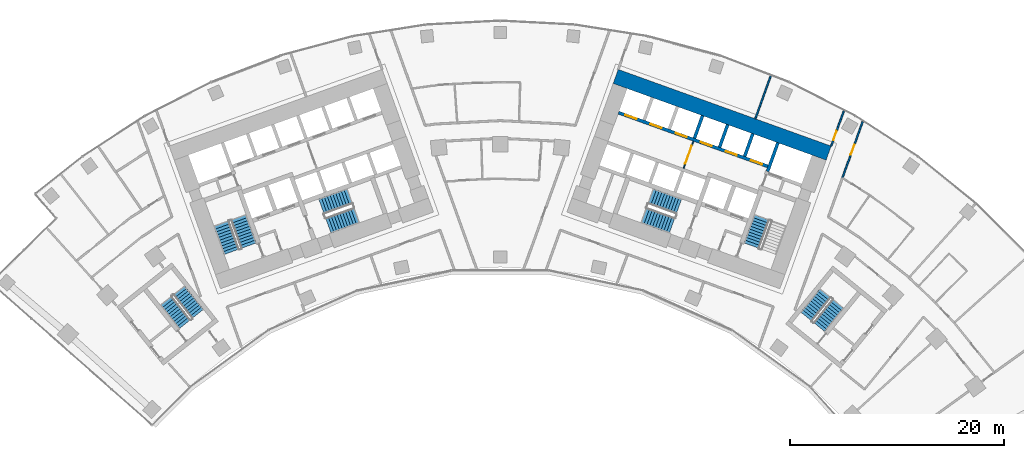
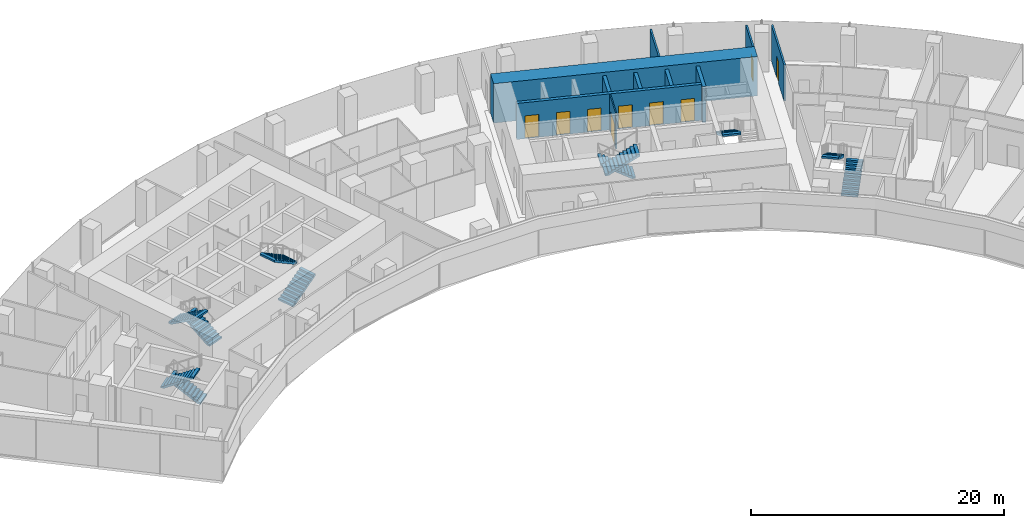
# One storey, part 18 of 21: 11 stair flights, 10 walls, 9 doors, 9 openings, 6 elements without a shape of their own.
"""IFC4 building model written with IfcOpenShell, lengths in metres."""

import ifcopenshell
import ifcopenshell.guid

model = None  # the IFC model being written
_history = None  # IfcOwnerHistory: only IFC2X3 demands one
_inside = {}  # id of a spatial element -> (the spatial element, [elements in it])
_under = {}  # id of a project, library or spatial element -> (it, [spatial elements below it])
_declared = {}  # id of a project -> (the project, [libraries it declares])
_typed = {}  # id of a type object -> (the type object, [elements of that type])
_made_of = {}  # id of a material, layer set ... -> (it, [elements and type objects made of it])


def new_model(schema):
    """Start an empty IFC model of exactly this schema.

    Asked for "IFC4X3", IfcOpenShell would pick the latest addendum, in which some entities
    have other attributes; the version numbers below select the first issue.
    IFC2X3 requires an IfcOwnerHistory on every rooted entity: one is made here for all.
    """
    global model, _history
    if schema == "IFC4X3":
        model = ifcopenshell.file(schema_version=(4, 3, 0, 0))
    else:
        model = ifcopenshell.file(schema=schema)
    _inside.clear()
    _under.clear()
    _declared.clear()
    _typed.clear()
    _made_of.clear()
    _history = None
    if model.schema == "IFC2X3":
        org = make("IfcOrganization", Name="unknown")
        user = make(
            "IfcPersonAndOrganization",
            ThePerson=make("IfcPerson", FamilyName="unknown"),
            TheOrganization=org,
        )
        app = make(
            "IfcApplication",
            ApplicationDeveloper=org,
            Version="unknown",
            ApplicationFullName="unknown",
            ApplicationIdentifier="unknown",
        )
        _history = make(
            "IfcOwnerHistory",
            OwningUser=user,
            OwningApplication=app,
            ChangeAction="ADDED",
            CreationDate=0,
        )
    return model


def make(cls, **values):
    """One entity of the class cls with the attributes given. An attribute that is None is left unset."""
    return model.create_entity(
        cls, **{name: value for name, value in values.items() if value is not None}
    )


def rooted(cls, **values):
    """An entity with a GlobalId (a new one), such as an element, a storey or a relation."""
    return make(cls, GlobalId=ifcopenshell.guid.new(), OwnerHistory=_history, **values)


def si_unit(unit_type, name, prefix=None):
    """IfcSIUnit, for example si_unit("LENGTHUNIT", "METRE", prefix="MILLI")."""
    return make("IfcSIUnit", UnitType=unit_type, Prefix=prefix, Name=name)


def assignment(units):
    """IfcUnitAssignment: the units of a project."""
    return None if units is None else make("IfcUnitAssignment", Units=units)


def point(xyz):
    """IfcCartesianPoint."""
    return None if xyz is None else make("IfcCartesianPoint", Coordinates=xyz)


def direction(xyz):
    """IfcDirection."""
    return None if xyz is None else make("IfcDirection", DirectionRatios=xyz)


def frame(location, z_axis=None, x_axis=None):
    """IfcAxis2Placement3D, a coordinate frame: its origin and axes. An axis left out is left unset."""
    return make(
        "IfcAxis2Placement3D",
        Location=point(location),
        Axis=direction(z_axis),
        RefDirection=direction(x_axis),
    )


def frame_2d(location, x_axis=None):
    """IfcAxis2Placement2D, a coordinate frame in the plane: its origin and x axis."""
    return make(
        "IfcAxis2Placement2D", Location=point(location), RefDirection=direction(x_axis)
    )


def origin():
    """The frame at (0, 0, 0) with its axes left unset."""
    return frame((0.0, 0.0, 0.0))


def place(relative_to, where):
    """IfcLocalPlacement: puts the frame where relative to a parent placement (None: the world)."""
    return make(
        "IfcLocalPlacement", PlacementRelTo=relative_to, RelativePlacement=where
    )


def context(
    kind, dimensions, precision=None, world=None, true_north=None, identifier=None
):
    """IfcGeometricRepresentationContext, for example the 3D "Model" context."""
    return make(
        "IfcGeometricRepresentationContext",
        ContextIdentifier=identifier,
        ContextType=kind,
        CoordinateSpaceDimension=dimensions,
        Precision=precision,
        WorldCoordinateSystem=world,
        TrueNorth=true_north,
    )


def subcontext(parent, identifier, kind, view, scale=None):
    """IfcGeometricRepresentationSubContext, for example "Body" below "Model"."""
    return make(
        "IfcGeometricRepresentationSubContext",
        ContextIdentifier=identifier,
        ContextType=kind,
        ParentContext=parent,
        TargetScale=scale,
        TargetView=view,
    )


def project(units=None, contexts=None):
    """IfcProject with its units and contexts."""
    return rooted(
        "IfcProject",
        Name="project",
        RepresentationContexts=contexts,
        UnitsInContext=assignment(units),
    )


def spatial(cls, under=None, at=None, **own):
    """A site, building, storey or space (cls), placed at a placement, below another one or the project."""
    s = rooted(cls, ObjectPlacement=at, **own)
    if under is not None:
        _under.setdefault(under.id(), (under, []))[1].append(s)
    return s


def polyline(points):
    """IfcPolyline through the points."""
    return make("IfcPolyline", Points=[point(p) for p in points])


def profile(cls, at=None, kind="AREA", **sizes):
    """A parametric profile (cls). Its sizes go by their IFC names, for example OverallWidth=200.0."""
    return make(cls, ProfileType=kind, Position=at, **sizes)


def rectangle(**sizes):
    """IfcRectangleProfileDef."""
    return profile("IfcRectangleProfileDef", **sizes)


def outline(outer, holes=None, kind="AREA"):
    """IfcArbitraryClosedProfileDef: a profile drawn as a closed curve; with holes, ...WithVoids."""
    if holes is None:
        return make("IfcArbitraryClosedProfileDef", ProfileType=kind, OuterCurve=outer)
    return make(
        "IfcArbitraryProfileDefWithVoids",
        ProfileType=kind,
        OuterCurve=outer,
        InnerCurves=holes,
    )


def extrude(swept, where, along, depth):
    """IfcExtrudedAreaSolid: the profile swept, set in the frame where, extruded along a direction by depth."""
    return make(
        "IfcExtrudedAreaSolid",
        SweptArea=swept,
        Position=where,
        ExtrudedDirection=direction(along),
        Depth=depth,
    )


def shape(context_of_items, identifier, shape_type, items):
    """IfcShapeRepresentation: the items that make up one representation, for example the "Body"."""
    return make(
        "IfcShapeRepresentation",
        ContextOfItems=context_of_items,
        RepresentationIdentifier=identifier,
        RepresentationType=shape_type,
        Items=items,
    )


def material(Name=None, Category=None):
    """IfcMaterial."""
    return make("IfcMaterial", Name=Name, Category=Category)


def layer(
    of_material, thickness, ventilated=None, Name=None, Category=None, Priority=None
):
    """IfcMaterialLayer: one layer of a wall or slab, of a material (None: an air gap)."""
    return make(
        "IfcMaterialLayer",
        Material=of_material,
        LayerThickness=thickness,
        IsVentilated=ventilated,
        Name=Name,
        Category=Category,
        Priority=Priority,
    )


def layer_set(layers, Name=None):
    """IfcMaterialLayerSet."""
    return make("IfcMaterialLayerSet", MaterialLayers=layers, LayerSetName=Name)


def made_of(thing, what):
    """Note that an element or type object is made of a material, layer set ...; save() writes the relation."""
    if what is not None:
        _made_of.setdefault(what.id(), (what, []))[1].append(thing)
    return thing


def type_object(cls, material=None, **own):
    """A type object (cls), such as IfcWallType, which elements share."""
    return made_of(rooted(cls, **own), material)


def element(
    cls,
    number,
    at=None,
    inside=None,
    cuts=None,
    type_object=None,
    material=None,
    context=None,
    identifier="Body",
    shape_type=None,
    held_by="IfcProductDefinitionShape",
    body=None,
    shapes=None,
    **own,
):
    """One element of the class cls, such as IfcWall. Its Tag is "e" and its number.

    at: its placement. inside: the storey or other place that contains it. cuts: it is an
    opening in that element (IfcRelVoidsElement). A single representation is given by context,
    identifier, shape_type and body (its items); several are given by shapes. held_by: the class
    of the entity that holds the representations. save() writes the other relations.
    """
    e = rooted(cls, Tag="e%d" % number, ObjectPlacement=at, **own)
    if body is not None:
        shapes = [shape(context, identifier, shape_type, body)]
    if shapes is not None:
        e.Representation = make(held_by, Representations=shapes)
    if inside is not None:
        _inside.setdefault(inside.id(), (inside, []))[1].append(e)
    if cuts is not None:
        rooted(
            "IfcRelVoidsElement", RelatingBuildingElement=cuts, RelatedOpeningElement=e
        )
    if type_object is not None:
        _typed.setdefault(type_object.id(), (type_object, []))[1].append(e)
    return made_of(e, material)


def fill(opening, filler):
    """IfcRelFillsElement: the door or window that sits in an opening."""
    return rooted(
        "IfcRelFillsElement",
        RelatingOpeningElement=opening,
        RelatedBuildingElement=filler,
    )


def aggregate(whole, parts):
    """IfcRelAggregates: a whole, such as a stair, and the parts it consists of."""
    return rooted("IfcRelAggregates", RelatingObject=whole, RelatedObjects=parts)


def save(model, path):
    """Write the relations noted so far, then the file.

    IfcRelAggregates (storeys below a building ...), IfcRelContainedInSpatialStructure (elements
    in a storey), IfcRelDefinesByType, IfcRelAssociatesMaterial and IfcRelDeclares: one each for
    every whole, place, type object, material and project.
    """
    for whole, parts in _under.values():
        aggregate(whole, parts)
    for where, things in _inside.values():
        rooted(
            "IfcRelContainedInSpatialStructure",
            RelatedElements=things,
            RelatingStructure=where,
        )
    for kind, things in _typed.values():
        rooted("IfcRelDefinesByType", RelatedObjects=things, RelatingType=kind)
    for what, things in _made_of.values():
        rooted("IfcRelAssociatesMaterial", RelatedObjects=things, RelatingMaterial=what)
    for by, libraries in _declared.values():
        rooted("IfcRelDeclares", RelatingContext=by, RelatedDefinitions=libraries)
    model.write(path)


model = new_model("IFC4")

# Units and contexts
model_context = context("Model", 3, precision=1e-05, world=origin(), true_north=direction((0.0, 1.0)))
body_context = subcontext(model_context, "Body", "Model", "MODEL_VIEW")
ifc_project = project(units=[si_unit("LENGTHUNIT", "METRE"), si_unit("AREAUNIT", "SQUARE_METRE"), si_unit("VOLUMEUNIT", "CUBIC_METRE"), si_unit("PLANEANGLEUNIT", "RADIAN"), si_unit("MASSUNIT", "GRAM", prefix="KILO")], contexts=[model_context])

# Site, building, storey
site_placement = place(None, origin())
site = spatial("IfcSite", under=ifc_project, at=site_placement, CompositionType="ELEMENT")
building_placement = place(site_placement, origin())
building = spatial("IfcBuilding", under=site, at=building_placement, Name="Stone Belt Terrace Tower", CompositionType="ELEMENT")
storey_placement = place(building_placement, frame((0.0, 0.0, 117.39990234375)))
storey = spatial("IfcBuildingStorey", under=building, at=storey_placement, Name="L28", CompositionType="ELEMENT", Elevation=117.39990234375)

# Wall, opening, door
ifc_material_1 = material(Name="Plasterboard partition")
ifc_layer_1 = layer(ifc_material_1, 0.10009765625)
ifc_layer_set_1 = layer_set([ifc_layer_1], Name="Core partition 100")
wall_type_1 = type_object("IfcWallType", Name="Core partition 100", PredefinedType="PARTITIONING", material=ifc_layer_set_1)
wall_1_placement = place(storey_placement, frame((17.17724609375, 52.749755859375, 0.0), z_axis=(0.0, 0.0, 1.0), x_axis=(0.338546555931, 0.940949642365, 0.0)))
wall_1 = element("IfcWall", 1, at=wall_1_placement, inside=storey, type_object=wall_type_1, Name="Core B wall", PredefinedType="PARTITIONING", context=body_context, shape_type="SweptSolid", body=[
    extrude(rectangle(XDim=2.699951171875, YDim=0.10009765625, at=frame_2d((1.35009765625, 0.0))), origin(), (0.0, 0.0, 1.0), 3.47998046875),
])
opening_1_placement = place(wall_1_placement, frame((0.449951171875, 0.0, 0.0)))
opening_1 = element("IfcOpeningElement", 2, at=opening_1_placement, cuts=wall_1, Name="Opening L28-C14", PredefinedType="OPENING", context=body_context, shape_type="SweptSolid", body=[
    extrude(rectangle(XDim=1.800048828125, YDim=2.10009765625, at=frame_2d((0.89990234375, 1.050048828125))), frame((0.0, 0.06005859375, 0.0), z_axis=(0.0, -1.0, 0.0), x_axis=(1.0, 0.0, 0.0)), (0.0, 0.0, 1.0), 0.1201171875),
])
ifc_material_2 = material(Name="Glazed aluminium door leaf", Category="aluminium")
door_type_1 = type_object("IfcDoorType", Name="Lift lobby entrance door 1800", OperationType="DOUBLE_DOOR_SINGLE_SWING", PredefinedType="DOOR", material=ifc_material_2)
door_1_placement = place(opening_1_placement, origin())
door_1 = element("IfcDoor", 3, at=door_1_placement, inside=storey, type_object=door_type_1, Name="Lift lobby double door core B", OperationType="DOUBLE_DOOR_SINGLE_SWING", OverallHeight=2.10009765625, OverallWidth=1.800048828125, PredefinedType="DOOR", context=body_context, shape_type="SweptSolid", body=[
    extrude(rectangle(XDim=1.800048828125, YDim=2.10009765625, at=frame_2d((0.89990234375, 1.050048828125))), frame((0.0, 0.02490234375, 0.0), z_axis=(0.0, -1.0, 0.0), x_axis=(1.0, 0.0, 0.0)), (0.0, 0.0, 1.0), 0.050048828125),
])
fill(opening_1, door_1)

# Walls
ifc_material_3 = material(Name="Concrete B80", Category="concrete")
ifc_layer_2 = layer(ifc_material_3, 1.39990234375)
ifc_layer_set_2 = layer_set([ifc_layer_2], Name="Core wall 1400 B80")
wall_type_2 = type_object("IfcWallType", Name="Core wall 1400 B80", PredefinedType="SHEAR", material=ifc_layer_set_2)
wall_2_placement = place(storey_placement, frame((10.81787109375, 61.362060546875, 0.0), z_axis=(0.0, 0.0, 1.0), x_axis=(0.940919704758, -0.338629752382, 0.0)))
element("IfcWall", 4, at=wall_2_placement, inside=storey, type_object=wall_type_2, Name="Core B wall convex L28", PredefinedType="SHEAR", context=body_context, shape_type="SweptSolid", body=[
    extrude(rectangle(XDim=21.199951171875, YDim=1.39990234375, at=frame_2d((10.60009765625, 0.0))), origin(), (0.0, 0.0, 1.0), 3.800048828125),
])
ifc_layer_3 = layer(ifc_material_3, 0.300048828125)
ifc_layer_set_3 = layer_set([ifc_layer_3], Name="Lift shaft wall 300")
wall_type_3 = type_object("IfcWallType", Name="Lift shaft wall 300", PredefinedType="SHEAR", material=ifc_layer_set_3)
wall_3_placement = place(storey_placement, frame((25.046875, 52.46826171875, 0.0), z_axis=(0.0, 0.0, 1.0), x_axis=(0.338549588058, 0.940948551423, 0.0)))
element("IfcWall", 5, at=wall_3_placement, inside=storey, type_object=wall_type_3, Name="Core B wall", PredefinedType="SHEAR", context=body_context, shape_type="SweptSolid", body=[
    extrude(rectangle(XDim=2.849853515625, YDim=0.300048828125, at=frame_2d((1.4248046875, 0.0))), origin(), (0.0, 0.0, 1.0), 3.47998046875),
])

# Wall, openings, doors
wall_4_placement = place(storey_placement, frame((25.05810546875, 52.9423828125, 0.0), z_axis=(0.0, 0.0, 1.0), x_axis=(-0.940918215764, 0.338633889685, 0.0)))
wall_4 = element("IfcWall", 6, at=wall_4_placement, inside=storey, type_object=wall_type_3, Name="Core B wall", PredefinedType="SHEAR", context=body_context, shape_type="SweptSolid", body=[
    extrude(rectangle(XDim=14.850341796875, YDim=0.300048828125, at=frame_2d((7.42529296875, 0.0))), origin(), (0.0, 0.0, 1.0), 3.47998046875),
])
opening_2_placement = place(wall_4_placement, frame((0.570068359375, 0.0, 0.0)))
opening_2 = element("IfcOpeningElement", 7, at=opening_2_placement, cuts=wall_4, Name="Opening L28-LD10", PredefinedType="OPENING", context=body_context, shape_type="SweptSolid", body=[
    extrude(rectangle(XDim=1.10009765625, YDim=2.199951171875, at=frame_2d((0.550048828125, 1.10009765625))), frame((0.0, 0.159912109375, 0.0), z_axis=(0.0, -1.0, 0.0), x_axis=(1.0, 0.0, 0.0)), (0.0, 0.0, 1.0), 0.320068359375),
])
opening_3_placement = place(wall_4_placement, frame((3.070068359375, 0.0, 0.0)))
opening_3 = element("IfcOpeningElement", 8, at=opening_3_placement, cuts=wall_4, Name="Opening L28-LD11", PredefinedType="OPENING", context=body_context, shape_type="SweptSolid", body=[
    extrude(rectangle(XDim=1.10009765625, YDim=2.199951171875, at=frame_2d((0.550048828125, 1.10009765625))), frame((0.0, 0.159912109375, 0.0), z_axis=(0.0, -1.0, 0.0), x_axis=(1.0, 0.0, 0.0)), (0.0, 0.0, 1.0), 0.320068359375),
])
opening_4_placement = place(wall_4_placement, frame((5.570068359375, 0.0, 0.0)))
opening_4 = element("IfcOpeningElement", 9, at=opening_4_placement, cuts=wall_4, Name="Opening L28-LD12", PredefinedType="OPENING", context=body_context, shape_type="SweptSolid", body=[
    extrude(rectangle(XDim=1.10009765625, YDim=2.199951171875, at=frame_2d((0.550048828125, 1.10009765625))), frame((0.0, 0.159912109375, 0.0), z_axis=(0.0, -1.0, 0.0), x_axis=(1.0, 0.0, 0.0)), (0.0, 0.0, 1.0), 0.320068359375),
])
opening_5_placement = place(wall_4_placement, frame((8.070068359375, 0.0, 0.0)))
opening_5 = element("IfcOpeningElement", 10, at=opening_5_placement, cuts=wall_4, Name="Opening L28-LD13", PredefinedType="OPENING", context=body_context, shape_type="SweptSolid", body=[
    extrude(rectangle(XDim=1.10009765625, YDim=2.199951171875, at=frame_2d((0.550048828125, 1.10009765625))), frame((0.0, 0.159912109375, 0.0), z_axis=(0.0, -1.0, 0.0), x_axis=(1.0, 0.0, 0.0)), (0.0, 0.0, 1.0), 0.320068359375),
])
opening_6_placement = place(wall_4_placement, frame((10.570068359375, 0.0, 0.0)))
opening_6 = element("IfcOpeningElement", 11, at=opening_6_placement, cuts=wall_4, Name="Opening L28-LD14", PredefinedType="OPENING", context=body_context, shape_type="SweptSolid", body=[
    extrude(rectangle(XDim=1.10009765625, YDim=2.199951171875, at=frame_2d((0.550048828125, 1.10009765625))), frame((0.0, 0.159912109375, 0.0), z_axis=(0.0, -1.0, 0.0), x_axis=(1.0, 0.0, 0.0)), (0.0, 0.0, 1.0), 0.320068359375),
])
opening_7_placement = place(wall_4_placement, frame((13.070068359375, 0.0, 0.0)))
opening_7 = element("IfcOpeningElement", 12, at=opening_7_placement, cuts=wall_4, Name="Opening L28-LD15", PredefinedType="OPENING", context=body_context, shape_type="SweptSolid", body=[
    extrude(rectangle(XDim=1.10009765625, YDim=2.199951171875, at=frame_2d((0.550048828125, 1.10009765625))), frame((0.0, 0.159912109375, 0.0), z_axis=(0.0, -1.0, 0.0), x_axis=(1.0, 0.0, 0.0)), (0.0, 0.0, 1.0), 0.320068359375),
])
ifc_material_4 = material(Name="Stainless steel door leaf", Category="steel")
door_type_2 = type_object("IfcDoorType", Name="Landing door 1100", OperationType="SLIDING_TO_LEFT", PredefinedType="DOOR", material=ifc_material_4)
door_2_placement = place(opening_2_placement, origin())
door_2 = element("IfcDoor", 13, at=door_2_placement, inside=storey, type_object=door_type_2, Name="Landing door LR1 core B", OperationType="SLIDING_TO_LEFT", OverallHeight=2.199951171875, OverallWidth=1.10009765625, PredefinedType="DOOR", context=body_context, shape_type="SweptSolid", body=[
    extrude(rectangle(XDim=1.10009765625, YDim=2.199951171875, at=frame_2d((0.550048828125, 1.10009765625))), frame((0.0, 0.02490234375, 0.0), z_axis=(0.0, -1.0, 0.0), x_axis=(1.0, 0.0, 0.0)), (0.0, 0.0, 1.0), 0.050048828125),
])
fill(opening_2, door_2)
door_3_placement = place(opening_3_placement, origin())
door_3 = element("IfcDoor", 14, at=door_3_placement, inside=storey, type_object=door_type_2, Name="Landing door LR2 core B", OperationType="SLIDING_TO_LEFT", OverallHeight=2.199951171875, OverallWidth=1.10009765625, PredefinedType="DOOR", context=body_context, shape_type="SweptSolid", body=[
    extrude(rectangle(XDim=1.10009765625, YDim=2.199951171875, at=frame_2d((0.550048828125, 1.10009765625))), frame((0.0, 0.02490234375, 0.0), z_axis=(0.0, -1.0, 0.0), x_axis=(1.0, 0.0, 0.0)), (0.0, 0.0, 1.0), 0.050048828125),
])
fill(opening_3, door_3)
door_4_placement = place(opening_4_placement, origin())
door_4 = element("IfcDoor", 15, at=door_4_placement, inside=storey, type_object=door_type_2, Name="Landing door LR3 core B", OperationType="SLIDING_TO_LEFT", OverallHeight=2.199951171875, OverallWidth=1.10009765625, PredefinedType="DOOR", context=body_context, shape_type="SweptSolid", body=[
    extrude(rectangle(XDim=1.10009765625, YDim=2.199951171875, at=frame_2d((0.550048828125, 1.10009765625))), frame((0.0, 0.02490234375, 0.0), z_axis=(0.0, -1.0, 0.0), x_axis=(1.0, 0.0, 0.0)), (0.0, 0.0, 1.0), 0.050048828125),
])
fill(opening_4, door_4)
door_5_placement = place(opening_5_placement, origin())
door_5 = element("IfcDoor", 16, at=door_5_placement, inside=storey, type_object=door_type_2, Name="Landing door LR4 core B", OperationType="SLIDING_TO_LEFT", OverallHeight=2.199951171875, OverallWidth=1.10009765625, PredefinedType="DOOR", context=body_context, shape_type="SweptSolid", body=[
    extrude(rectangle(XDim=1.10009765625, YDim=2.199951171875, at=frame_2d((0.550048828125, 1.10009765625))), frame((0.0, 0.02490234375, 0.0), z_axis=(0.0, -1.0, 0.0), x_axis=(1.0, 0.0, 0.0)), (0.0, 0.0, 1.0), 0.050048828125),
])
fill(opening_5, door_5)
door_6_placement = place(opening_6_placement, origin())
door_6 = element("IfcDoor", 17, at=door_6_placement, inside=storey, type_object=door_type_2, Name="Landing door LR5 core B", OperationType="SLIDING_TO_LEFT", OverallHeight=2.199951171875, OverallWidth=1.10009765625, PredefinedType="DOOR", context=body_context, shape_type="SweptSolid", body=[
    extrude(rectangle(XDim=1.10009765625, YDim=2.199951171875, at=frame_2d((0.550048828125, 1.10009765625))), frame((0.0, 0.02490234375, 0.0), z_axis=(0.0, -1.0, 0.0), x_axis=(1.0, 0.0, 0.0)), (0.0, 0.0, 1.0), 0.050048828125),
])
fill(opening_6, door_6)
door_7_placement = place(opening_7_placement, origin())
door_7 = element("IfcDoor", 18, at=door_7_placement, inside=storey, type_object=door_type_2, Name="Landing door LR6 core B", OperationType="SLIDING_TO_LEFT", OverallHeight=2.199951171875, OverallWidth=1.10009765625, PredefinedType="DOOR", context=body_context, shape_type="SweptSolid", body=[
    extrude(rectangle(XDim=1.10009765625, YDim=2.199951171875, at=frame_2d((0.550048828125, 1.10009765625))), frame((0.0, 0.02490234375, 0.0), z_axis=(0.0, -1.0, 0.0), x_axis=(1.0, 0.0, 0.0)), (0.0, 0.0, 1.0), 0.050048828125),
])
fill(opening_7, door_7)

# Walls
wall_5_placement = place(storey_placement, frame((22.897705078125, 53.87939453125, 0.0), z_axis=(0.0, 0.0, 1.0), x_axis=(0.338535034312, 0.940953787677, 0.0)))
element("IfcWall", 19, at=wall_5_placement, inside=storey, type_object=wall_type_3, Name="Core B wall", PredefinedType="SHEAR", context=body_context, shape_type="SweptSolid", body=[
    extrude(rectangle(XDim=2.25, YDim=0.300048828125, at=frame_2d((1.125, 0.0))), origin(), (0.0, 0.0, 1.0), 3.47998046875),
])
wall_6_placement = place(storey_placement, frame((20.54541015625, 54.72607421875, 0.0), z_axis=(0.0, 0.0, 1.0), x_axis=(0.338569601369, 0.940941350472, 0.0)))
element("IfcWall", 20, at=wall_6_placement, inside=storey, type_object=wall_type_3, Name="Core B wall", PredefinedType="SHEAR", context=body_context, shape_type="SweptSolid", body=[
    extrude(rectangle(XDim=2.249755859375, YDim=0.300048828125, at=frame_2d((1.125, 0.0))), origin(), (0.0, 0.0, 1.0), 3.47998046875),
])
wall_7_placement = place(storey_placement, frame((18.193115234375, 55.572509765625, 0.0), z_axis=(0.0, 0.0, 1.0), x_axis=(0.338535034312, 0.940953787677, 0.0)))
element("IfcWall", 21, at=wall_7_placement, inside=storey, type_object=wall_type_3, Name="Core B wall", PredefinedType="SHEAR", context=body_context, shape_type="SweptSolid", body=[
    extrude(rectangle(XDim=2.25, YDim=0.300048828125, at=frame_2d((1.125, 0.0))), origin(), (0.0, 0.0, 1.0), 3.47998046875),
])

# Wall, opening, door
ifc_material_5 = material(Name="Gypsum board partition")
ifc_layer_4 = layer(ifc_material_5, 0.14990234375)
ifc_layer_set_4 = layer_set([ifc_layer_4], Name="PARTITION 150 EI 60")
wall_type_4 = type_object("IfcWallType", Name="PARTITION 150 EI 60", PredefinedType="PARTITIONING", material=ifc_layer_set_4)
wall_8_placement = place(storey_placement, frame((31.001953125, 54.842041015625, 0.0), z_axis=(0.0, 0.0, 1.0), x_axis=(0.338662585219, 0.940907887826, 0.0)))
wall_8 = element("IfcWall", 22, at=wall_8_placement, inside=storey, type_object=wall_type_4, Name="L28/wall/i026", PredefinedType="PARTITIONING", context=body_context, shape_type="SweptSolid", body=[
    extrude(rectangle(XDim=3.49560546875, YDim=0.14990234375, at=frame_2d((1.747802734375, 0.0))), origin(), (0.0, 0.0, 1.0), 3.47998046875),
])
opening_8_placement = place(wall_8_placement, frame((0.599365234375, 0.0, 0.0)))
opening_8 = element("IfcOpeningElement", 23, at=opening_8_placement, cuts=wall_8, Name="Opening D-B4-10", PredefinedType="OPENING", context=body_context, shape_type="SweptSolid", body=[
    extrude(rectangle(XDim=0.89990234375, YDim=2.10009765625, at=frame_2d((0.449951171875, 1.050048828125))), frame((0.0, 0.0849609375, 0.0), z_axis=(0.0, -1.0, 0.0), x_axis=(1.0, 0.0, 0.0)), (0.0, 0.0, 1.0), 0.169921875),
])
ifc_material_6 = material(Name="Timber door leaf", Category="wood")
door_type_3 = type_object("IfcDoorType", Name="OFFICE DOOR 900 X 2100", OperationType="NOTDEFINED", PredefinedType="DOOR", material=ifc_material_6)
door_8_placement = place(opening_8_placement, origin())
door_8 = element("IfcDoor", 24, at=door_8_placement, inside=storey, type_object=door_type_3, Name="L28/door/i10", OperationType="SINGLE_SWING_LEFT", OverallHeight=2.10009765625, OverallWidth=0.89990234375, PredefinedType="DOOR", context=body_context, shape_type="SweptSolid", body=[
    extrude(rectangle(XDim=0.89990234375, YDim=2.10009765625, at=frame_2d((0.449951171875, 1.050048828125))), frame((0.0, 0.02490234375, 0.0), z_axis=(0.0, -1.0, 0.0), x_axis=(1.0, 0.0, 0.0)), (0.0, 0.0, 1.0), 0.050048828125),
])
fill(opening_8, door_8)

wall_9_placement = place(storey_placement, frame((33.951904296875, 57.131103515625, 0.0), z_axis=(0.0, 0.0, 1.0), x_axis=(-0.338550092768, -0.940948369831, 0.0)))
wall_9 = element("IfcWall", 25, at=wall_9_placement, inside=storey, type_object=wall_type_4, Name="L28/wall/i029", PredefinedType="PARTITIONING", context=body_context, shape_type="SweptSolid", body=[
    extrude(rectangle(XDim=5.61474609375, YDim=0.14990234375, at=frame_2d((2.807373046875, 0.0))), origin(), (0.0, 0.0, 1.0), 3.47998046875),
])
opening_9_placement = place(wall_9_placement, frame((2.307373046875, 0.0, 0.0)))
opening_9 = element("IfcOpeningElement", 26, at=opening_9_placement, cuts=wall_9, Name="Opening D-B4-22", PredefinedType="OPENING", context=body_context, shape_type="SweptSolid", body=[
    extrude(rectangle(XDim=1.0, YDim=2.10009765625, at=frame_2d((0.5, 1.050048828125))), frame((0.0, 0.0849609375, 0.0), z_axis=(0.0, -1.0, 0.0), x_axis=(1.0, 0.0, 0.0)), (0.0, 0.0, 1.0), 0.169921875),
])
ifc_material_7 = material(Name="Timber fire door leaf", Category="wood")
door_type_4 = type_object("IfcDoorType", Name="TENANCY ENTRANCE DOOR 1000 X 2100", OperationType="NOTDEFINED", PredefinedType="DOOR", material=ifc_material_7)
door_9_placement = place(opening_9_placement, origin())
door_9 = element("IfcDoor", 27, at=door_9_placement, inside=storey, type_object=door_type_4, Name="L28/door/i22", OperationType="SINGLE_SWING_RIGHT", OverallHeight=2.10009765625, OverallWidth=1.0, PredefinedType="DOOR", context=body_context, shape_type="SweptSolid", body=[
    extrude(rectangle(XDim=1.0, YDim=2.10009765625, at=frame_2d((0.5, 1.050048828125))), frame((0.0, 0.02490234375, 0.0), z_axis=(0.0, -1.0, 0.0), x_axis=(1.0, 0.0, 0.0)), (0.0, 0.0, 1.0), 0.050048828125),
])
fill(opening_9, door_9)

# Wall
wall_10_placement = place(storey_placement, frame((25.3359375, 61.406982421875, 0.0), z_axis=(0.0, 0.0, 1.0), x_axis=(-0.338583451115, -0.94093636694, 0.0)))
element("IfcWall", 28, at=wall_10_placement, inside=storey, type_object=wall_type_4, Name="L28/wall/i036", PredefinedType="PARTITIONING", context=body_context, shape_type="SweptSolid", body=[
    extrude(rectangle(XDim=4.258544921875, YDim=0.14990234375, at=frame_2d((2.12939453125, 0.0))), origin(), (0.0, 0.0, 1.0), 3.47998046875),
])

# Stair, stair flights
ifc_material_8 = material(Name="Concrete B40", Category="concrete")
stair_type = type_object("IfcStairType", Name="Exit stair 1500", PredefinedType="HALF_TURN_STAIR", material=ifc_material_8)
stair_1_placement = place(storey_placement, origin())
stair_1 = element("IfcStair", 29, at=stair_1_placement, inside=storey, type_object=stair_type, Name="L28 Exit stair 1 core A", PredefinedType="HALF_TURN_STAIR")
stair_flight_type = type_object("IfcStairFlightType", Name="Stair flight 1500", PredefinedType="STRAIGHT", material=ifc_material_8)
stair_flight_1_placement = place(storey_placement, frame((-23.55322265625, 45.51318359375, 0.0), z_axis=(0.0, 0.0, 1.0), x_axis=(-0.338624396177, 0.940921632398, 0.0)))
stair_flight_1 = element("IfcStairFlight", 30, at=stair_flight_1_placement, type_object=stair_flight_type, Name="ST1A flight 1", NumberOfRisers=11, NumberOfTreads=10, PredefinedType="STRAIGHT", RiserHeight=0.172727273, TreadLength=0.28, context=body_context, shape_type="SweptSolid", body=[
    extrude(outline(polyline([(0.0, 0.0), (0.0, 0.172607421875), (0.280029296875, 0.172607421875), (0.280029296875, 0.345458984375), (0.56005859375, 0.345458984375), (0.56005859375, 0.51806640625), (0.840087890625, 0.51806640625), (0.840087890625, 0.69091796875), (1.1201171875, 0.69091796875), (1.1201171875, 0.863525390625), (1.39990234375, 0.863525390625), (1.39990234375, 1.036376953125), (1.679931640625, 1.036376953125), (1.679931640625, 1.208984375), (1.9599609375, 1.208984375), (1.9599609375, 1.3818359375), (2.239990234375, 1.3818359375), (2.239990234375, 1.554443359375), (2.52001953125, 1.554443359375), (2.52001953125, 1.727294921875), (2.800048828125, 1.727294921875), (2.800048828125, 1.89990234375), (2.800048828125, 1.551025390625), (0.285400390625, 0.0), (0.0, 0.0)])), frame((0.0, 0.75, 0.0), z_axis=(0.0, -1.0, 0.0), x_axis=(1.0, 0.0, 0.0)), (0.0, 0.0, 1.0), 1.5),
])
stair_flight_2_placement = place(storey_placement, frame((-26.10107421875, 47.572021484375, 1.900146484375), z_axis=(0.0, 0.0, 1.0), x_axis=(0.338624396177, -0.940921632398, 0.0)))
stair_flight_2 = element("IfcStairFlight", 31, at=stair_flight_2_placement, type_object=stair_flight_type, Name="ST1A flight 2", NumberOfRisers=11, NumberOfTreads=10, PredefinedType="STRAIGHT", RiserHeight=0.172727273, TreadLength=0.28, context=body_context, shape_type="SweptSolid", body=[
    extrude(outline(polyline([(0.0, 0.0), (0.0, 0.172607421875), (0.280029296875, 0.172607421875), (0.280029296875, 0.345458984375), (0.56005859375, 0.345458984375), (0.56005859375, 0.51806640625), (0.840087890625, 0.51806640625), (0.840087890625, 0.69091796875), (1.1201171875, 0.69091796875), (1.1201171875, 0.863525390625), (1.39990234375, 0.863525390625), (1.39990234375, 1.036376953125), (1.679931640625, 1.036376953125), (1.679931640625, 1.208984375), (1.9599609375, 1.208984375), (1.9599609375, 1.3818359375), (2.239990234375, 1.3818359375), (2.239990234375, 1.554443359375), (2.52001953125, 1.554443359375), (2.52001953125, 1.727294921875), (2.800048828125, 1.727294921875), (2.800048828125, 1.89990234375), (2.800048828125, 1.551025390625), (0.285400390625, 0.0), (0.0, 0.0)])), frame((0.0, 0.75, 0.0), z_axis=(0.0, -1.0, 0.0), x_axis=(1.0, 0.0, 0.0)), (0.0, 0.0, 1.0), 1.5),
])
aggregate(stair_1, [stair_flight_1, stair_flight_2])

stair_2_placement = place(storey_placement, origin())
stair_2 = element("IfcStair", 32, at=stair_2_placement, inside=storey, type_object=stair_type, Name="L28 Exit stair 2 core A", PredefinedType="HALF_TURN_STAIR")
stair_flight_3_placement = place(storey_placement, frame((-16.101318359375, 47.39794921875, 0.0), z_axis=(0.0, 0.0, 1.0), x_axis=(0.940921632398, 0.338624396177, 0.0)))
stair_flight_3 = element("IfcStairFlight", 33, at=stair_flight_3_placement, type_object=stair_flight_type, Name="ST2A flight 1", NumberOfRisers=11, NumberOfTreads=10, PredefinedType="STRAIGHT", RiserHeight=0.172727273, TreadLength=0.28, context=body_context, shape_type="SweptSolid", body=[
    extrude(outline(polyline([(0.0, 0.0), (0.0, 0.172607421875), (0.280029296875, 0.172607421875), (0.280029296875, 0.345458984375), (0.56005859375, 0.345458984375), (0.56005859375, 0.51806640625), (0.840087890625, 0.51806640625), (0.840087890625, 0.69091796875), (1.1201171875, 0.69091796875), (1.1201171875, 0.863525390625), (1.39990234375, 0.863525390625), (1.39990234375, 1.036376953125), (1.679931640625, 1.036376953125), (1.679931640625, 1.208984375), (1.9599609375, 1.208984375), (1.9599609375, 1.3818359375), (2.239990234375, 1.3818359375), (2.239990234375, 1.554443359375), (2.52001953125, 1.554443359375), (2.52001953125, 1.727294921875), (2.800048828125, 1.727294921875), (2.800048828125, 1.89990234375), (2.800048828125, 1.551025390625), (0.285400390625, 0.0), (0.0, 0.0)])), frame((0.0, 0.75, 0.0), z_axis=(0.0, -1.0, 0.0), x_axis=(1.0, 0.0, 0.0)), (0.0, 0.0, 1.0), 1.5),
])
stair_flight_4_placement = place(storey_placement, frame((-14.110107421875, 50.1337890625, 1.900146484375), z_axis=(0.0, 0.0, 1.0), x_axis=(-0.940921632398, -0.338624396177, 0.0)))
stair_flight_4 = element("IfcStairFlight", 34, at=stair_flight_4_placement, type_object=stair_flight_type, Name="ST2A flight 2", NumberOfRisers=11, NumberOfTreads=10, PredefinedType="STRAIGHT", RiserHeight=0.172727273, TreadLength=0.28, context=body_context, shape_type="SweptSolid", body=[
    extrude(outline(polyline([(0.0, 0.0), (0.0, 0.172607421875), (0.280029296875, 0.172607421875), (0.280029296875, 0.345458984375), (0.56005859375, 0.345458984375), (0.56005859375, 0.51806640625), (0.840087890625, 0.51806640625), (0.840087890625, 0.69091796875), (1.1201171875, 0.69091796875), (1.1201171875, 0.863525390625), (1.39990234375, 0.863525390625), (1.39990234375, 1.036376953125), (1.679931640625, 1.036376953125), (1.679931640625, 1.208984375), (1.9599609375, 1.208984375), (1.9599609375, 1.3818359375), (2.239990234375, 1.3818359375), (2.239990234375, 1.554443359375), (2.52001953125, 1.554443359375), (2.52001953125, 1.727294921875), (2.800048828125, 1.727294921875), (2.800048828125, 1.89990234375), (2.800048828125, 1.551025390625), (0.285400390625, 0.0), (0.0, 0.0)])), frame((0.0, 0.75, 0.0), z_axis=(0.0, -1.0, 0.0), x_axis=(1.0, 0.0, 0.0)), (0.0, 0.0, 1.0), 1.5),
])
aggregate(stair_2, [stair_flight_3, stair_flight_4])

# Stair, stair flight
stair_3_placement = place(storey_placement, origin())
stair_3 = element("IfcStair", 35, at=stair_3_placement, inside=storey, type_object=stair_type, Name="L28 Exit stair 1 core B", PredefinedType="HALF_TURN_STAIR")
stair_flight_5_placement = place(storey_placement, frame((24.50146484375, 48.147705078125, 1.900146484375), z_axis=(0.0, 0.0, 1.0), x_axis=(-0.338624396177, -0.940921632398, 0.0)))
stair_flight_5 = element("IfcStairFlight", 36, at=stair_flight_5_placement, type_object=stair_flight_type, Name="ST1B flight 2", NumberOfRisers=11, NumberOfTreads=10, PredefinedType="STRAIGHT", RiserHeight=0.172727273, TreadLength=0.28, context=body_context, shape_type="SweptSolid", body=[
    extrude(outline(polyline([(0.0, 0.0), (0.0, 0.172607421875), (0.280029296875, 0.172607421875), (0.280029296875, 0.345458984375), (0.56005859375, 0.345458984375), (0.56005859375, 0.51806640625), (0.840087890625, 0.51806640625), (0.840087890625, 0.69091796875), (1.1201171875, 0.69091796875), (1.1201171875, 0.863525390625), (1.39990234375, 0.863525390625), (1.39990234375, 1.036376953125), (1.679931640625, 1.036376953125), (1.679931640625, 1.208984375), (1.9599609375, 1.208984375), (1.9599609375, 1.3818359375), (2.239990234375, 1.3818359375), (2.239990234375, 1.554443359375), (2.52001953125, 1.554443359375), (2.52001953125, 1.727294921875), (2.800048828125, 1.727294921875), (2.800048828125, 1.89990234375), (2.800048828125, 1.551025390625), (0.285400390625, 0.0), (0.0, 0.0)])), frame((0.0, 0.75, 0.0), z_axis=(0.0, -1.0, 0.0), x_axis=(1.0, 0.0, 0.0)), (0.0, 0.0, 1.0), 1.5),
])
aggregate(stair_3, [stair_flight_5])

# Stair, stair flights
stair_4_placement = place(storey_placement, origin())
stair_4 = element("IfcStair", 37, at=stair_4_placement, inside=storey, type_object=stair_type, Name="L28 Exit stair 2 core B", PredefinedType="HALF_TURN_STAIR")
stair_flight_6_placement = place(storey_placement, frame((16.74462890625, 49.185546875, 0.0), z_axis=(0.0, 0.0, 1.0), x_axis=(-0.940921632398, 0.338624396177, 0.0)))
stair_flight_6 = element("IfcStairFlight", 38, at=stair_flight_6_placement, type_object=stair_flight_type, Name="ST2B flight 1", NumberOfRisers=11, NumberOfTreads=10, PredefinedType="STRAIGHT", RiserHeight=0.172727273, TreadLength=0.28, context=body_context, shape_type="SweptSolid", body=[
    extrude(outline(polyline([(0.0, 0.0), (0.0, 0.172607421875), (0.280029296875, 0.172607421875), (0.280029296875, 0.345458984375), (0.56005859375, 0.345458984375), (0.56005859375, 0.51806640625), (0.840087890625, 0.51806640625), (0.840087890625, 0.69091796875), (1.1201171875, 0.69091796875), (1.1201171875, 0.863525390625), (1.39990234375, 0.863525390625), (1.39990234375, 1.036376953125), (1.679931640625, 1.036376953125), (1.679931640625, 1.208984375), (1.9599609375, 1.208984375), (1.9599609375, 1.3818359375), (2.239990234375, 1.3818359375), (2.239990234375, 1.554443359375), (2.52001953125, 1.554443359375), (2.52001953125, 1.727294921875), (2.800048828125, 1.727294921875), (2.800048828125, 1.89990234375), (2.800048828125, 1.551025390625), (0.285400390625, 0.0), (0.0, 0.0)])), frame((0.0, 0.75, 0.0), z_axis=(0.0, -1.0, 0.0), x_axis=(1.0, 0.0, 0.0)), (0.0, 0.0, 1.0), 1.5),
])
stair_flight_7_placement = place(storey_placement, frame((13.466796875, 48.345947265625, 1.900146484375), z_axis=(0.0, 0.0, 1.0), x_axis=(0.940921632398, -0.338624396177, 0.0)))
stair_flight_7 = element("IfcStairFlight", 39, at=stair_flight_7_placement, type_object=stair_flight_type, Name="ST2B flight 2", NumberOfRisers=11, NumberOfTreads=10, PredefinedType="STRAIGHT", RiserHeight=0.172727273, TreadLength=0.28, context=body_context, shape_type="SweptSolid", body=[
    extrude(outline(polyline([(0.0, 0.0), (0.0, 0.172607421875), (0.280029296875, 0.172607421875), (0.280029296875, 0.345458984375), (0.56005859375, 0.345458984375), (0.56005859375, 0.51806640625), (0.840087890625, 0.51806640625), (0.840087890625, 0.69091796875), (1.1201171875, 0.69091796875), (1.1201171875, 0.863525390625), (1.39990234375, 0.863525390625), (1.39990234375, 1.036376953125), (1.679931640625, 1.036376953125), (1.679931640625, 1.208984375), (1.9599609375, 1.208984375), (1.9599609375, 1.3818359375), (2.239990234375, 1.3818359375), (2.239990234375, 1.554443359375), (2.52001953125, 1.554443359375), (2.52001953125, 1.727294921875), (2.800048828125, 1.727294921875), (2.800048828125, 1.89990234375), (2.800048828125, 1.551025390625), (0.285400390625, 0.0), (0.0, 0.0)])), frame((0.0, 0.75, 0.0), z_axis=(0.0, -1.0, 0.0), x_axis=(1.0, 0.0, 0.0)), (0.0, 0.0, 1.0), 1.5),
])
aggregate(stair_4, [stair_flight_6, stair_flight_7])

stair_5_placement = place(storey_placement, origin())
stair_5 = element("IfcStair", 40, at=stair_5_placement, inside=storey, type_object=stair_type, Name="L28 Exit stair 3A", PredefinedType="HALF_TURN_STAIR")
stair_flight_8_placement = place(storey_placement, frame((-28.325439453125, 39.1240234375, 0.0), z_axis=(0.0, 0.0, 1.0), x_axis=(-0.623121363691, 0.782125160132, 0.0)))
stair_flight_8 = element("IfcStairFlight", 41, at=stair_flight_8_placement, type_object=stair_flight_type, Name="ST3A flight 1", NumberOfRisers=11, NumberOfTreads=10, PredefinedType="STRAIGHT", RiserHeight=0.172727273, TreadLength=0.28, context=body_context, shape_type="SweptSolid", body=[
    extrude(outline(polyline([(0.0, 0.0), (0.0, 0.172607421875), (0.280029296875, 0.172607421875), (0.280029296875, 0.345458984375), (0.56005859375, 0.345458984375), (0.56005859375, 0.51806640625), (0.840087890625, 0.51806640625), (0.840087890625, 0.69091796875), (1.1201171875, 0.69091796875), (1.1201171875, 0.863525390625), (1.39990234375, 0.863525390625), (1.39990234375, 1.036376953125), (1.679931640625, 1.036376953125), (1.679931640625, 1.208984375), (1.9599609375, 1.208984375), (1.9599609375, 1.3818359375), (2.239990234375, 1.3818359375), (2.239990234375, 1.554443359375), (2.52001953125, 1.554443359375), (2.52001953125, 1.727294921875), (2.800048828125, 1.727294921875), (2.800048828125, 1.89990234375), (2.800048828125, 1.551025390625), (0.285400390625, 0.0), (0.0, 0.0)])), frame((0.0, 0.675048828125, 0.0), z_axis=(0.0, -1.0, 0.0), x_axis=(1.0, 0.0, 0.0)), (0.0, 0.0, 1.0), 1.35009765625),
])
stair_flight_9_placement = place(storey_placement, frame((-31.282470703125, 40.34814453125, 1.900146484375), z_axis=(0.0, 0.0, 1.0), x_axis=(0.623121363691, -0.782125160132, 0.0)))
stair_flight_9 = element("IfcStairFlight", 42, at=stair_flight_9_placement, type_object=stair_flight_type, Name="ST3A flight 2", NumberOfRisers=11, NumberOfTreads=10, PredefinedType="STRAIGHT", RiserHeight=0.172727273, TreadLength=0.28, context=body_context, shape_type="SweptSolid", body=[
    extrude(outline(polyline([(0.0, 0.0), (0.0, 0.172607421875), (0.280029296875, 0.172607421875), (0.280029296875, 0.345458984375), (0.56005859375, 0.345458984375), (0.56005859375, 0.51806640625), (0.840087890625, 0.51806640625), (0.840087890625, 0.69091796875), (1.1201171875, 0.69091796875), (1.1201171875, 0.863525390625), (1.39990234375, 0.863525390625), (1.39990234375, 1.036376953125), (1.679931640625, 1.036376953125), (1.679931640625, 1.208984375), (1.9599609375, 1.208984375), (1.9599609375, 1.3818359375), (2.239990234375, 1.3818359375), (2.239990234375, 1.554443359375), (2.52001953125, 1.554443359375), (2.52001953125, 1.727294921875), (2.800048828125, 1.727294921875), (2.800048828125, 1.89990234375), (2.800048828125, 1.551025390625), (0.285400390625, 0.0), (0.0, 0.0)])), frame((0.0, 0.675048828125, 0.0), z_axis=(0.0, -1.0, 0.0), x_axis=(1.0, 0.0, 0.0)), (0.0, 0.0, 1.0), 1.35009765625),
])
aggregate(stair_5, [stair_flight_8, stair_flight_9])

stair_6_placement = place(storey_placement, origin())
stair_6 = element("IfcStair", 43, at=stair_6_placement, inside=storey, type_object=stair_type, Name="L28 Exit stair 3B", PredefinedType="HALF_TURN_STAIR")
stair_flight_10_placement = place(storey_placement, frame((29.88330078125, 37.887939453125, 0.0), z_axis=(0.0, 0.0, 1.0), x_axis=(0.630205749599, 0.776428176441, 0.0)))
stair_flight_10 = element("IfcStairFlight", 44, at=stair_flight_10_placement, type_object=stair_flight_type, Name="ST3B flight 1", NumberOfRisers=11, NumberOfTreads=10, PredefinedType="STRAIGHT", RiserHeight=0.172727273, TreadLength=0.28, context=body_context, shape_type="SweptSolid", body=[
    extrude(outline(polyline([(0.0, 0.0), (0.0, 0.172607421875), (0.280029296875, 0.172607421875), (0.280029296875, 0.345458984375), (0.56005859375, 0.345458984375), (0.56005859375, 0.51806640625), (0.840087890625, 0.51806640625), (0.840087890625, 0.69091796875), (1.1201171875, 0.69091796875), (1.1201171875, 0.863525390625), (1.39990234375, 0.863525390625), (1.39990234375, 1.036376953125), (1.679931640625, 1.036376953125), (1.679931640625, 1.208984375), (1.9599609375, 1.208984375), (1.9599609375, 1.3818359375), (2.239990234375, 1.3818359375), (2.239990234375, 1.554443359375), (2.52001953125, 1.554443359375), (2.52001953125, 1.727294921875), (2.800048828125, 1.727294921875), (2.800048828125, 1.89990234375), (2.800048828125, 1.551025390625), (0.285400390625, 0.0), (0.0, 0.0)])), frame((0.0, 0.675048828125, 0.0), z_axis=(0.0, -1.0, 0.0), x_axis=(1.0, 0.0, 0.0)), (0.0, 0.0, 1.0), 1.35009765625),
])
stair_flight_11_placement = place(storey_placement, frame((30.4443359375, 41.038818359375, 1.900146484375), z_axis=(0.0, 0.0, 1.0), x_axis=(-0.630205749599, -0.776428176441, 0.0)))
stair_flight_11 = element("IfcStairFlight", 45, at=stair_flight_11_placement, type_object=stair_flight_type, Name="ST3B flight 2", NumberOfRisers=11, NumberOfTreads=10, PredefinedType="STRAIGHT", RiserHeight=0.172727273, TreadLength=0.28, context=body_context, shape_type="SweptSolid", body=[
    extrude(outline(polyline([(0.0, 0.0), (0.0, 0.172607421875), (0.280029296875, 0.172607421875), (0.280029296875, 0.345458984375), (0.56005859375, 0.345458984375), (0.56005859375, 0.51806640625), (0.840087890625, 0.51806640625), (0.840087890625, 0.69091796875), (1.1201171875, 0.69091796875), (1.1201171875, 0.863525390625), (1.39990234375, 0.863525390625), (1.39990234375, 1.036376953125), (1.679931640625, 1.036376953125), (1.679931640625, 1.208984375), (1.9599609375, 1.208984375), (1.9599609375, 1.3818359375), (2.239990234375, 1.3818359375), (2.239990234375, 1.554443359375), (2.52001953125, 1.554443359375), (2.52001953125, 1.727294921875), (2.800048828125, 1.727294921875), (2.800048828125, 1.89990234375), (2.800048828125, 1.551025390625), (0.285400390625, 0.0), (0.0, 0.0)])), frame((0.0, 0.675048828125, 0.0), z_axis=(0.0, -1.0, 0.0), x_axis=(1.0, 0.0, 0.0)), (0.0, 0.0, 1.0), 1.35009765625),
])
aggregate(stair_6, [stair_flight_10, stair_flight_11])

save(model, "model.ifc")
